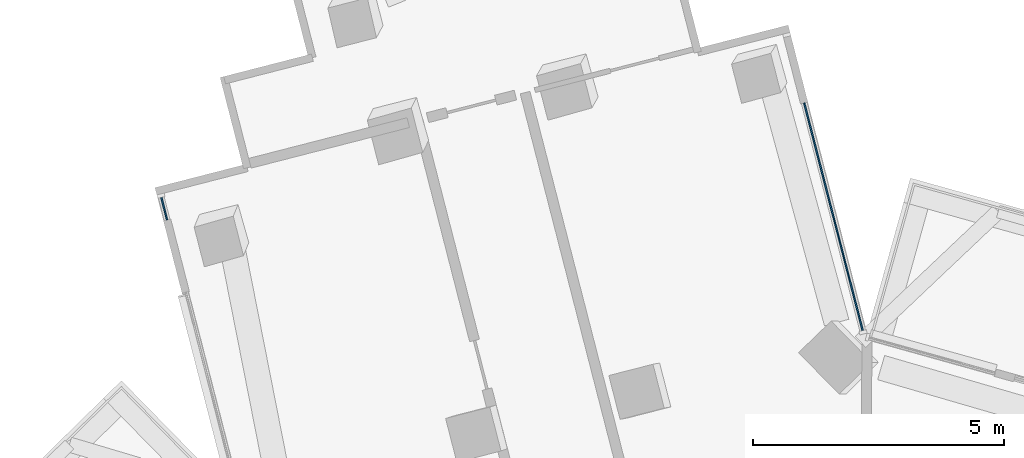
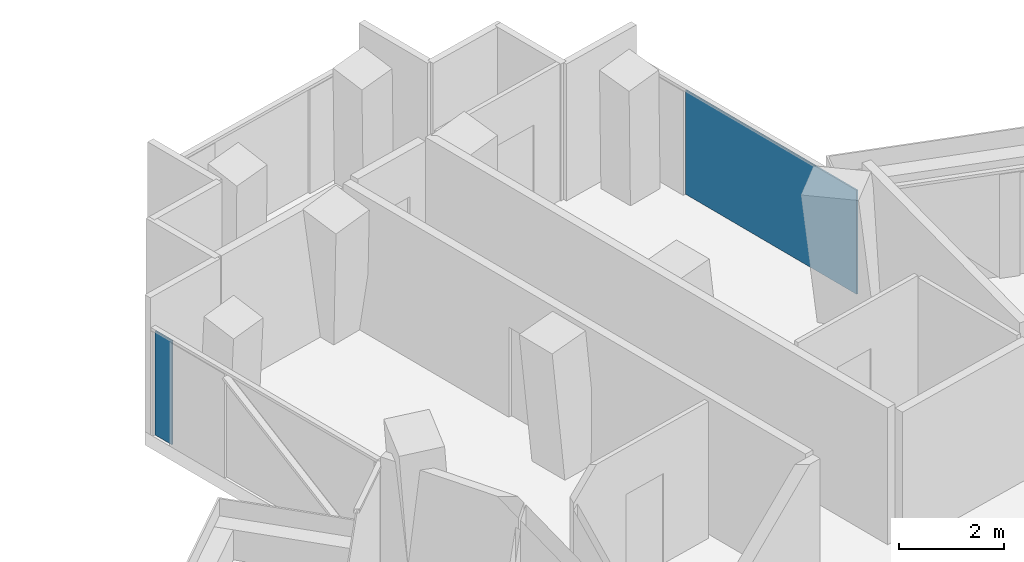
# One storey, part 15 of 26: 2 plates, 2 elements without a shape of their own.
"""IFC4 building model written with IfcOpenShell, lengths in metres."""

from ifc_helpers import new_model, si_unit, direction, frame, origin, origin_2d, place, context, subcontext, project, spatial, rectangle, extrude, material, layer, layer_set, type_object, element, aggregate, save


model = new_model("IFC4")

# Units and contexts
model_context = context("Model", 3, precision=1e-05, world=origin(), true_north=direction((0.0, 1.0)))
body_context = subcontext(model_context, "Body", "Model", "MODEL_VIEW")
ifc_project = project(units=[si_unit("LENGTHUNIT", "METRE"), si_unit("AREAUNIT", "SQUARE_METRE"), si_unit("VOLUMEUNIT", "CUBIC_METRE"), si_unit("PLANEANGLEUNIT", "RADIAN"), si_unit("MASSUNIT", "GRAM", prefix="KILO")], contexts=[model_context])

# Site, building, storey
site_placement = place(None, origin())
site = spatial("IfcSite", under=ifc_project, at=site_placement, CompositionType="ELEMENT")
building_placement = place(site_placement, origin())
building = spatial("IfcBuilding", under=site, at=building_placement, Name="Verdalira Terraces Hotel", CompositionType="ELEMENT")
storey_placement = place(building_placement, frame((0.0, 0.0, 93.0)))
storey = spatial("IfcBuildingStorey", under=building, at=storey_placement, Name="L21", CompositionType="ELEMENT", Elevation=93.0)

# Curtain wall, plate
ifc_material_1 = material(Name="Clear glass", Category="glass")
ifc_layer_1 = layer(ifc_material_1, 0.14990234375)
ifc_layer_set_1 = layer_set([ifc_layer_1], Name="CW2 curtain wall")
curtain_wall_type = type_object("IfcCurtainWallType", Name="CW2 curtain wall", PredefinedType="NOTDEFINED", material=ifc_layer_set_1)
curtain_wall_1_placement = place(storey_placement, origin())
curtain_wall_1 = element("IfcCurtainWall", 1, at=curtain_wall_1_placement, inside=storey, type_object=curtain_wall_type, Name="CW2 curtain wall L21 edge 0", PredefinedType="NOTDEFINED")
ifc_material_2 = material(Name="Clear glass", Category="glass")
ifc_layer_2 = layer(ifc_material_2, 0.031982421875)
ifc_layer_set_2 = layer_set([ifc_layer_2], Name="CW2 glass unit 32")
plate_type = type_object("IfcPlateType", Name="CW2 glass unit 32", PredefinedType="CURTAIN_PANEL", material=ifc_layer_set_2)
plate_1_placement = place(storey_placement, frame((-0.408203, 27.425537, 0.0), z_axis=(0.0, 0.0, 1.0), x_axis=(-0.248689887, 0.968583161, 0.0)))
plate_1 = element("IfcPlate", 2, at=plate_1_placement, type_object=plate_type, Name="CW2 glass unit", PredefinedType="CURTAIN_PANEL", context=body_context, shape_type="SweptSolid", body=[
    extrude(rectangle(XDim=4.674072, YDim=0.031982, at=origin_2d()), origin(), (0.0, 0.0, 1.0), 2.425049),
])
aggregate(curtain_wall_1, [plate_1])

curtain_wall_2_placement = place(storey_placement, origin())
curtain_wall_2 = element("IfcCurtainWall", 3, at=curtain_wall_2_placement, inside=storey, type_object=curtain_wall_type, Name="CW2 curtain wall L21 edge 10", PredefinedType="NOTDEFINED")
plate_2_placement = place(storey_placement, frame((-13.716797, 27.587891, 0.0), z_axis=(0.0, 0.0, 1.0), x_axis=(0.248689887, -0.968583161, 0.0)))
plate_2 = element("IfcPlate", 4, at=plate_2_placement, type_object=plate_type, Name="CW2 glass unit", PredefinedType="CURTAIN_PANEL", context=body_context, shape_type="SweptSolid", body=[
    extrude(rectangle(XDim=0.459961, YDim=0.031982, at=origin_2d()), origin(), (0.0, 0.0, 1.0), 2.425049),
])
aggregate(curtain_wall_2, [plate_2])

save(model, "model.ifc")
